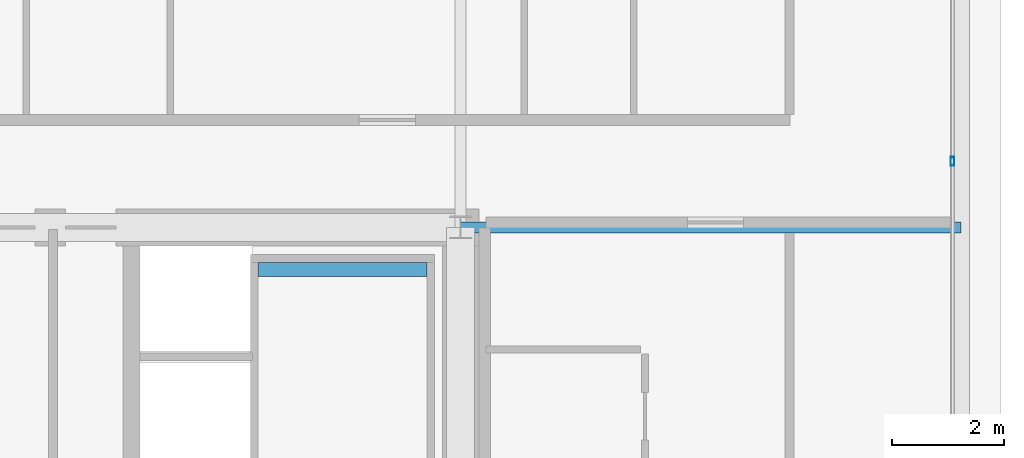
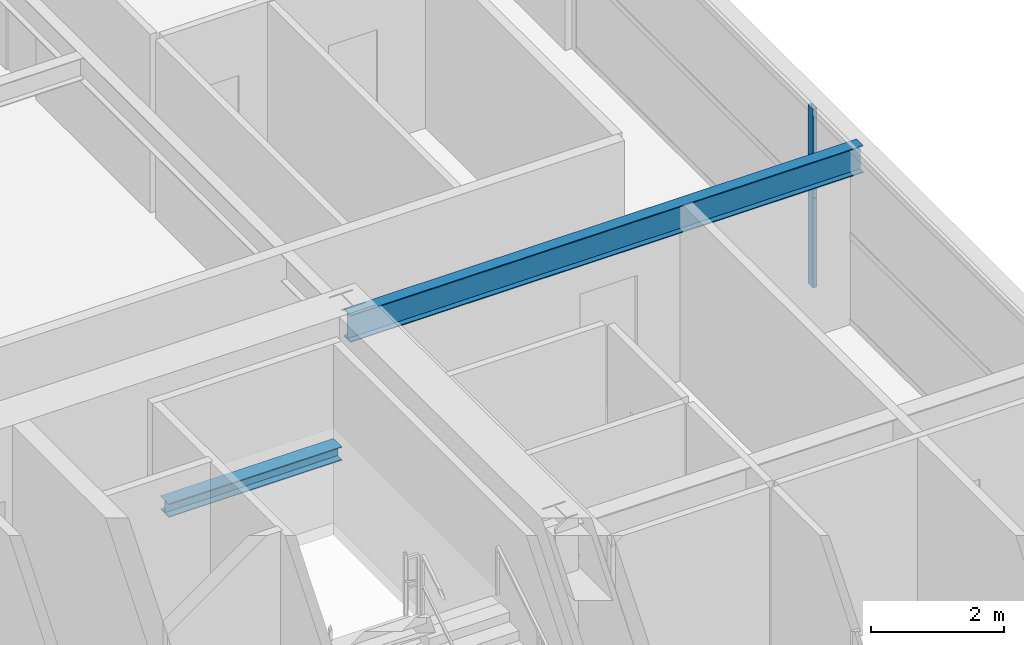
# One storey, part 21 of 38: 2 beams, 2 members, 1 element without a shape of its own.
"""IFC4 building model written with IfcOpenShell, lengths in metres."""

from ifc_helpers import new_model, si_unit, direction, frame, origin, origin_2d, place, context, subcontext, project, spatial, hollow_rectangle, i_section, extrude, source, transform, mapped, material, layer, layer_set, material_profile, profile_set, type_object, element, aggregate, save


model = new_model("IFC4")

# Units and contexts
model_context = context("Model", 3, precision=1e-05, world=origin(), true_north=direction((0.0, 1.0)))
body_context = subcontext(model_context, "Body", "Model", "MODEL_VIEW")
ifc_project = project(units=[si_unit("LENGTHUNIT", "METRE"), si_unit("AREAUNIT", "SQUARE_METRE"), si_unit("VOLUMEUNIT", "CUBIC_METRE"), si_unit("PLANEANGLEUNIT", "RADIAN"), si_unit("MASSUNIT", "GRAM", prefix="KILO"), si_unit("THERMODYNAMICTEMPERATUREUNIT", "KELVIN"), si_unit("POWERUNIT", "WATT")], contexts=[model_context])

# Site, building, storey
site_placement = place(None, origin())
site = spatial("IfcSite", under=ifc_project, at=site_placement, CompositionType="ELEMENT")
building_placement = place(site_placement, origin())
building = spatial("IfcBuilding", under=site, at=building_placement, Name="Yuzanri Waterfront Tower", CompositionType="ELEMENT")
storey_placement = place(building_placement, frame((0.0, 0.0, 195.0)))
storey = spatial("IfcBuildingStorey", under=building, at=storey_placement, Name="L51", CompositionType="ELEMENT", Elevation=195.0)

# Beam
ifc_material_1 = material(Name="Steel Q355B", Category="steel")
ifc_material_profile_1 = material_profile(ifc_material_1, i_section(OverallWidth=0.199951171875, OverallDepth=0.5, WebThickness=0.010009765625, FlangeThickness=0.01611328125, at=origin_2d()), Name="HN 500x200x10x16")
ifc_profile_set_1 = profile_set([ifc_material_profile_1], Name="Steel Q355B")
beam_type_1 = type_object("IfcBeamType", Name="Secondary Floor Beam Q355B HN 500x200", PredefinedType="BEAM", material=ifc_profile_set_1)
shared_shape_1 = source(origin(), body_context, "Body", "SweptSolid", [
    extrude(i_section(OverallWidth=0.199951171875, OverallDepth=0.5, WebThickness=0.010009765625, FlangeThickness=0.01611328125, at=origin_2d()), origin(), (0.0, 0.0, 1.0), 8.900146484375),
])
beam_1_placement = place(storey_placement, frame((50.199951171875, 32.199951171875, 3.030029296875), z_axis=(1.0, 0.0, 0.0), x_axis=(0.0, 1.0, 0.0)))
element("IfcBeam", 1, at=beam_1_placement, inside=storey, type_object=beam_type_1, Name="L51 East-North Core Line Beam", PredefinedType="BEAM", context=body_context, shape_type="MappedRepresentation", body=[
    mapped(shared_shape_1, transform((0.0, 0.0, 0.0), scale=1.0)),
])

# Curtain wall, members
ifc_material_2 = material(Name="Anodized Architectural Bronze", Category="metal")
ifc_layer = layer(ifc_material_2, 0.159912109375)
ifc_layer_set = layer_set([ifc_layer], Name="Anodized Architectural Bronze")
curtain_wall_type = type_object("IfcCurtainWallType", Name="Anodized Bronze Mid-Rise Residential Acoustic Unitized Curtain Wall 7200", PredefinedType="NOTDEFINED", material=ifc_layer_set)
curtain_wall_placement = place(storey_placement, origin())
curtain_wall = element("IfcCurtainWall", 2, at=curtain_wall_placement, inside=storey, type_object=curtain_wall_type, Name="L51 Curtain Wall CW-L51-ER", PredefinedType="NOTDEFINED")
ifc_material_3 = material(Name="Anodized Architectural Bronze", Category="metal")
ifc_material_profile_2 = material_profile(ifc_material_3, hollow_rectangle(XDim=0.06494140625, YDim=0.159912109375, WallThickness=0.00341796875, at=origin_2d()), Name="CWM 65x160")
ifc_profile_set_2 = profile_set([ifc_material_profile_2], Name="Anodized Architectural Bronze")
member_type = type_object("IfcMemberType", Name="Anodized Bronze Upper-Zone Curtain-Wall Mullion 65x160", PredefinedType="MULLION", material=ifc_profile_set_2)
shared_shape_2 = source(origin(), body_context, "Body", "SweptSolid", [
    extrude(hollow_rectangle(XDim=0.06494140625, YDim=0.159912109375, WallThickness=0.00341796875, at=origin_2d()), origin(), (0.0, 0.0, 1.0), 1.637939453125),
])
member_1_placement = place(storey_placement, frame((58.949951171875, 33.375, 0.0), z_axis=(0.0, 0.0, 1.0), x_axis=(1.0, 0.0, 0.0)))
member_1 = element("IfcMember", 3, at=member_1_placement, type_object=member_type, Name="CW-L51-ER Lower Mullion 01", PredefinedType="MULLION", context=body_context, shape_type="MappedRepresentation", body=[
    mapped(shared_shape_2, transform((0.0, 0.0, 0.0), scale=1.0)),
])
member_2_placement = place(storey_placement, frame((58.949951171875, 33.375, 1.64208984375), z_axis=(0.0, 0.0, 1.0), x_axis=(1.0, 0.0, 0.0)))
member_2 = element("IfcMember", 4, at=member_2_placement, type_object=member_type, Name="CW-L51-ER Upper Mullion 01", PredefinedType="MULLION", context=body_context, shape_type="MappedRepresentation", body=[
    mapped(shared_shape_2, transform((0.0, 0.0, 0.0), scale=1.0)),
])
aggregate(curtain_wall, [member_1, member_2])

# Beam
ifc_material_4 = material(Name="Steel Q355B", Category="steel")
ifc_material_profile_3 = material_profile(ifc_material_4, i_section(OverallWidth=0.25, OverallDepth=0.25, WebThickness=0.009033203125, FlangeThickness=0.013916015625, at=origin_2d()), Name="HW 250x250x9x14")
ifc_profile_set_3 = profile_set([ifc_material_profile_3], Name="Steel Q355B")
beam_type_2 = type_object("IfcBeamType", Name="Stair Landing Support Beam Q355B HW 250x250", PredefinedType="BEAM", material=ifc_profile_set_3)
shared_shape_3 = source(origin(), body_context, "Body", "SweptSolid", [
    extrude(i_section(OverallWidth=0.25, OverallDepth=0.25, WebThickness=0.009033203125, FlangeThickness=0.013916015625, at=origin_2d()), origin(), (0.0, 0.0, 1.0), 3.0),
])
beam_2_placement = place(storey_placement, frame((46.60009765625, 31.449951171875, 1.425048828125), z_axis=(1.0, 0.0, 0.0), x_axis=(0.0, 1.0, 0.0)))
element("IfcBeam", 5, at=beam_2_placement, inside=storey, type_object=beam_type_2, Name="L51 Stair Landing Support Beam ST-02-L51-L1-2", PredefinedType="BEAM", context=body_context, shape_type="MappedRepresentation", body=[
    mapped(shared_shape_3, transform((0.0, 0.0, 0.0), scale=1.0)),
])

save(model, "model.ifc")
